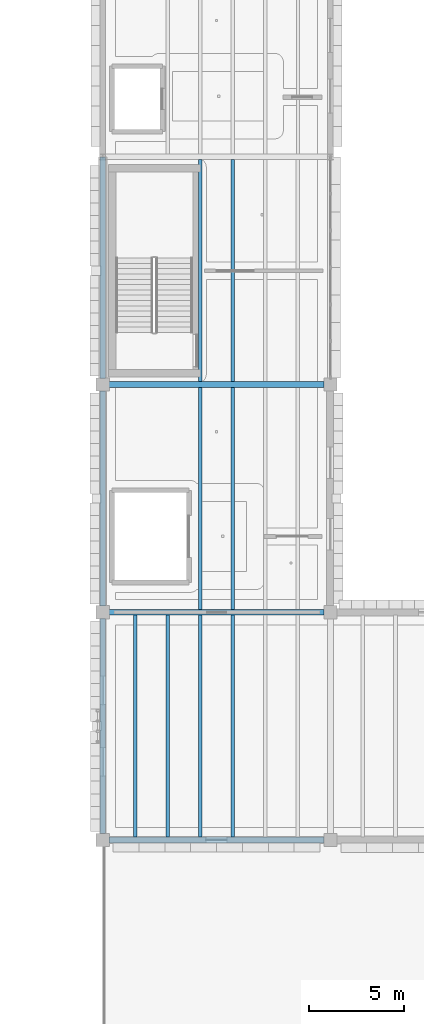
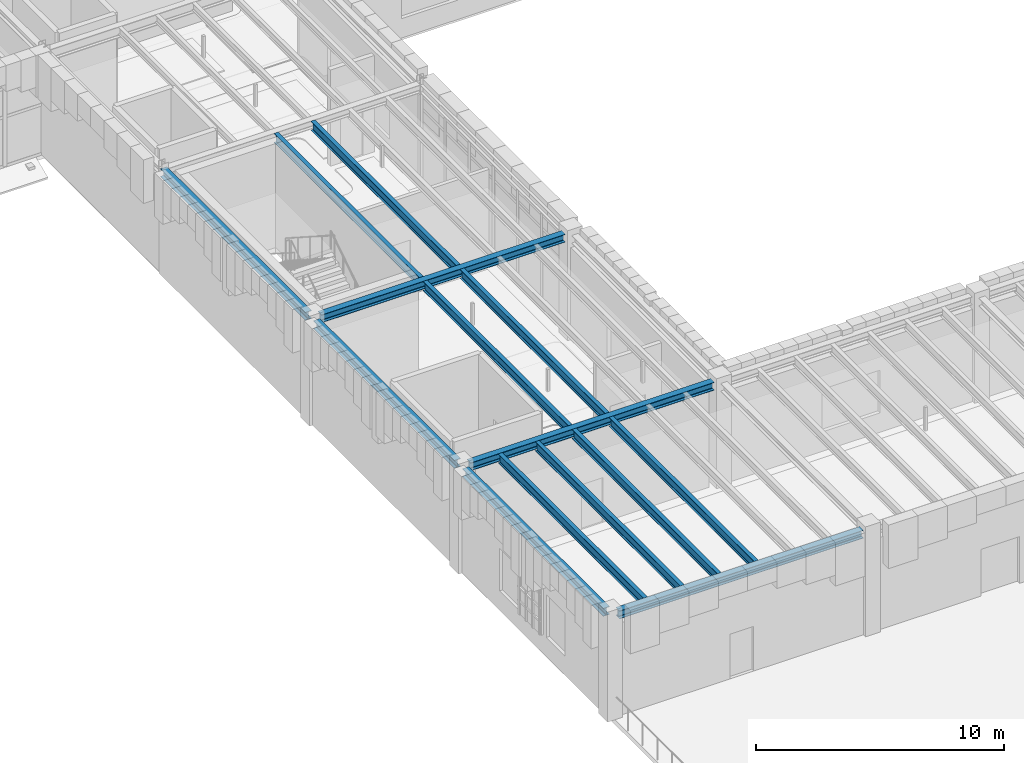
# One storey, part 16 of 100: 14 beams.
"""IFC4 building model written with IfcOpenShell, lengths in metres."""

from ifc_helpers import new_model, si_unit, direction, frame, origin, origin_2d, place, context, subcontext, project, spatial, i_section, extrude, material, material_profile, profile_set, type_object, element, save


model = new_model("IFC4")

# Units and contexts
model_context = context("Model", 3, precision=1e-05, world=origin(), true_north=direction((0.0, 1.0)))
body_context = subcontext(model_context, "Body", "Model", "MODEL_VIEW")
ifc_project = project(units=[si_unit("LENGTHUNIT", "METRE"), si_unit("AREAUNIT", "SQUARE_METRE"), si_unit("VOLUMEUNIT", "CUBIC_METRE"), si_unit("PLANEANGLEUNIT", "RADIAN"), si_unit("MASSUNIT", "GRAM", prefix="KILO")], contexts=[model_context])

# Site, building, storey
site_placement = place(None, origin())
site = spatial("IfcSite", under=ifc_project, at=site_placement, CompositionType="ELEMENT")
building_placement = place(site_placement, origin())
building = spatial("IfcBuilding", under=site, at=building_placement, Name="Zlatogorsky Bluff Art Gallery", CompositionType="ELEMENT")
storey_placement = place(building_placement, frame((0.0, 0.0, 5.39990234375)))
storey = spatial("IfcBuildingStorey", under=building, at=storey_placement, Name="L01", CompositionType="ELEMENT", Elevation=5.39990234375)

# Beams
ifc_material = material(Name="Steel S355", Category="steel")
ifc_material_profile_1 = material_profile(ifc_material, i_section(OverallWidth=0.300048828125, OverallDepth=0.389892578125, WebThickness=0.010986328125, FlangeThickness=0.01904296875, FilletRadius=0.027099609375, at=origin_2d()), Name="HEA 400")
ifc_profile_set_1 = profile_set([ifc_material_profile_1], Name="Steel S355")
beam_type_1 = type_object("IfcBeamType", Name="Beam BM-09 HEA 400", PredefinedType="BEAM", material=ifc_profile_set_1)
for number, where, z_axis, x_axis, name in (
    (1, (120.330078125, 38.39990234375, 4.9150390625), (1.0, 0.0, 0.0), (0.0, 1.0, 0.0), "Primary girder BM-09 L01 L-M/5"),
    (2, (120.330078125, 50.39990234375, 4.9150390625), (1.0, 0.0, 0.0), (0.0, 1.0, 0.0), "Primary girder BM-09 L01 L-M/6"),
    (3, (120.330078125, 62.39990234375, 4.9150390625), (1.0, 0.0, 0.0), (0.0, 1.0, 0.0), "Primary girder BM-09 L01 L-M/7"),
):
    element("IfcBeam", number, at=place(storey_placement, frame(where, z_axis=z_axis, x_axis=x_axis)), inside=storey, type_object=beam_type_1, Name=name, PredefinedType="BEAM", context=body_context, shape_type="SweptSolid", body=[
        extrude(i_section(OverallWidth=0.300048828125, OverallDepth=0.389892578125, WebThickness=0.010986328125, FlangeThickness=0.01904296875, FilletRadius=0.027099609375, at=origin_2d()), origin(), (0.0, 0.0, 1.0), 11.33984375),
    ])
for number, where, z_axis, x_axis, name in (
    (4, (120.0, 38.72998046875, 4.9150390625), (0.0, 1.0, 0.0), (-1.0, 0.0, 0.0), "Primary girder BM-09 L01 L/5-6"),
    (5, (120.0, 50.72998046875, 4.9150390625), (0.0, 1.0, 0.0), (-1.0, 0.0, 0.0), "Primary girder BM-09 L01 L/6-7"),
):
    element("IfcBeam", number, at=place(storey_placement, frame(where, z_axis=z_axis, x_axis=x_axis)), inside=storey, type_object=beam_type_1, Name=name, PredefinedType="BEAM", context=body_context, shape_type="SweptSolid", body=[
        extrude(i_section(OverallWidth=0.300048828125, OverallDepth=0.389892578125, WebThickness=0.010986328125, FlangeThickness=0.01904296875, FilletRadius=0.027099609375, at=origin_2d()), origin(), (0.0, 0.0, 1.0), 11.340087890625),
    ])
beam_placement = place(storey_placement, frame((120.0, 62.72998046875, 4.9150390625), z_axis=(0.0, 1.0, 0.0), x_axis=(-1.0, 0.0, 0.0)))
element("IfcBeam", 6, at=beam_placement, inside=storey, type_object=beam_type_1, Name="Primary girder BM-09 L01 L/7-8", PredefinedType="BEAM", context=body_context, shape_type="SweptSolid", body=[
    extrude(i_section(OverallWidth=0.300048828125, OverallDepth=0.389892578125, WebThickness=0.010986328125, FlangeThickness=0.01904296875, FilletRadius=0.027099609375, at=origin_2d()), origin(), (0.0, 0.0, 1.0), 11.655029296875),
])
ifc_material_profile_2 = material_profile(ifc_material, i_section(OverallWidth=0.18994140625, OverallDepth=0.449951171875, WebThickness=0.009521484375, FlangeThickness=0.0146484375, FilletRadius=0.02099609375, at=origin_2d()), Name="IPE 450")
ifc_profile_set_2 = profile_set([ifc_material_profile_2], Name="Steel S355")
beam_type_2 = type_object("IfcBeamType", Name="Beam JS-06 IPE 450", PredefinedType="JOIST", material=ifc_profile_set_2)
for number, where, z_axis, x_axis, name in (
    (7, (121.71435546875, 38.550048828125, 4.885009765625), (0.0, 1.0, 0.0), (-1.0, 0.0, 0.0), "Composite floor joist JS-06 L01 10.04.1"),
    (8, (123.428466796875, 38.550048828125, 4.885009765625), (0.0, 1.0, 0.0), (-1.0, 0.0, 0.0), "Composite floor joist JS-06 L01 10.04.2"),
    (9, (125.142822265625, 38.550048828125, 4.885009765625), (0.0, 1.0, 0.0), (-1.0, 0.0, 0.0), "Composite floor joist JS-06 L01 10.04.3"),
    (10, (126.857177734375, 38.550048828125, 4.885009765625), (0.0, 1.0, 0.0), (-1.0, 0.0, 0.0), "Composite floor joist JS-06 L01 10.04.4"),
    (11, (125.142822265625, 50.550048828125, 4.885009765625), (0.0, 1.0, 0.0), (-1.0, 0.0, 0.0), "Composite floor joist JS-06 L01 10.05.3"),
    (12, (126.857177734375, 50.550048828125, 4.885009765625), (0.0, 1.0, 0.0), (-1.0, 0.0, 0.0), "Composite floor joist JS-06 L01 10.05.4"),
    (13, (125.142822265625, 62.550048828125, 4.885009765625), (0.0, 1.0, 0.0), (-1.0, 0.0, 0.0), "Composite floor joist JS-06 L01 10.06.3"),
    (14, (126.857177734375, 62.550048828125, 4.885009765625), (0.0, 1.0, 0.0), (-1.0, 0.0, 0.0), "Composite floor joist JS-06 L01 10.06.4"),
):
    element("IfcBeam", number, at=place(storey_placement, frame(where, z_axis=z_axis, x_axis=x_axis)), inside=storey, type_object=beam_type_2, Name=name, PredefinedType="JOIST", context=body_context, shape_type="SweptSolid", body=[
        extrude(i_section(OverallWidth=0.18994140625, OverallDepth=0.449951171875, WebThickness=0.009521484375, FlangeThickness=0.0146484375, FilletRadius=0.02099609375, at=origin_2d()), origin(), (0.0, 0.0, 1.0), 11.699951171875),
    ])

save(model, "model.ifc")
